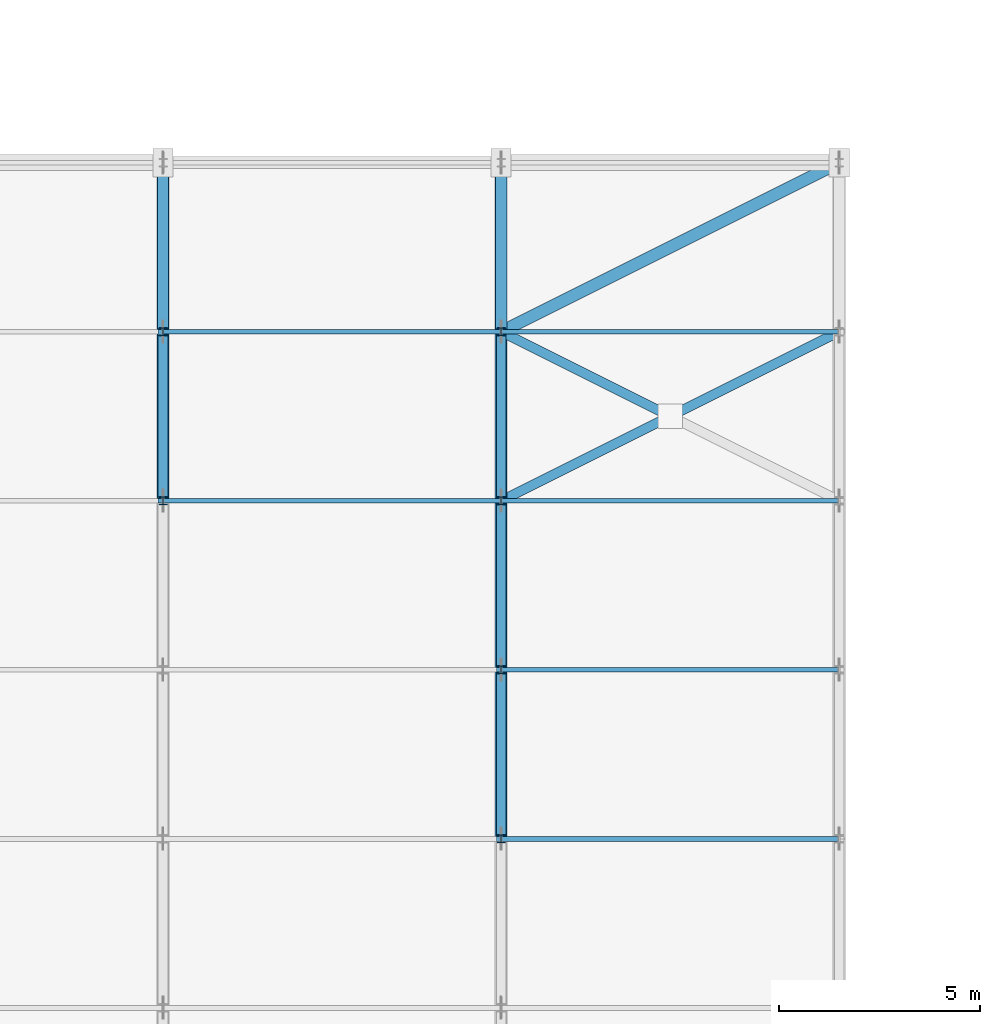
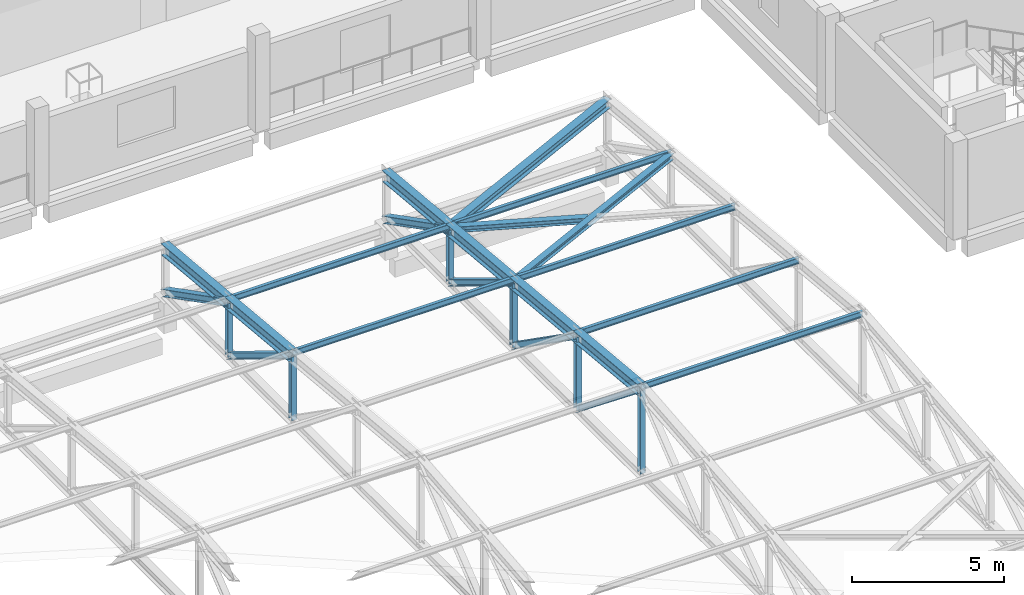
# One storey, part 24 of 74: 21 members, 6 beams.
"""IFC4 building model written with IfcOpenShell, lengths in metres."""

from ifc_helpers import new_model, si_unit, derived_unit, direction, frame, origin, origin_2d, place, context, subcontext, project, spatial, i_section, extrude, material, material_profile, profile_set, type_object, element, save


model = new_model("IFC4")

# Units and contexts
model_context = context("Model", 3, precision=1e-05, world=origin(), true_north=direction((0.0, 1.0)))
body_context = subcontext(model_context, "Body", "Model", "MODEL_VIEW")
ifc_project = project(units=[si_unit("LENGTHUNIT", "METRE"), si_unit("AREAUNIT", "SQUARE_METRE"), si_unit("VOLUMEUNIT", "CUBIC_METRE"), si_unit("PLANEANGLEUNIT", "RADIAN"), si_unit("MASSUNIT", "GRAM", prefix="KILO"), derived_unit("THERMALTRANSMITTANCEUNIT", [(si_unit("POWERUNIT", "WATT"), 1), (si_unit("LENGTHUNIT", "METRE"), -2), (si_unit("THERMODYNAMICTEMPERATUREUNIT", "KELVIN"), -1)])], contexts=[model_context])

# Site, building, storey
site_placement = place(None, origin())
site = spatial("IfcSite", under=ifc_project, at=site_placement, CompositionType="ELEMENT")
building_placement = place(site_placement, origin())
building = spatial("IfcBuilding", under=site, at=building_placement, Name="Elbkamm Science Centre", CompositionType="ELEMENT")
storey_placement = place(building_placement, frame((0.0, 0.0, 14.39990234375)))
storey = spatial("IfcBuildingStorey", under=building, at=storey_placement, Name="L03", CompositionType="ELEMENT", Elevation=14.39990234375)

# Beams
ifc_material = material(Name="Steel EN 10025-2 S355J2", Category="steel")
ifc_material_profile_1 = material_profile(ifc_material, i_section(OverallWidth=0.300048828125, OverallDepth=0.449951171875, WebThickness=0.013916015625, FlangeThickness=0.02587890625, FilletRadius=0.027099609375, at=origin_2d()), Name="HEB 450")
ifc_profile_set_1 = profile_set([ifc_material_profile_1], Name="Steel EN 10025-2 S355J2")
beam_type = type_object("IfcBeamType", Name="BM-STL-HEB450", PredefinedType="BEAM", material=ifc_profile_set_1)
beam_1_placement = place(storey_placement, frame((100.800048828125, 25.199951171875, 3.951171875), z_axis=(0.0, 0.995557421336, -0.094156363687), x_axis=(-1.0, 0.0, 0.0)))
element("IfcBeam", 1, at=beam_1_placement, inside=storey, type_object=beam_type, Name="Theatre Steel Truss 05 Top Chord 7", PredefinedType="BEAM", context=body_context, shape_type="SweptSolid", body=[
    extrude(i_section(OverallWidth=0.300048828125, OverallDepth=0.449951171875, WebThickness=0.013916015625, FlangeThickness=0.02587890625, FilletRadius=0.027099609375, at=origin_2d()), origin(), (0.0, 0.0, 1.0), 4.21875),
])
beam_2_placement = place(storey_placement, frame((100.800048828125, 29.39990234375, 3.553955078125), z_axis=(0.0, 0.995563356829, -0.094093583946), x_axis=(-1.0, 0.0, 0.0)))
element("IfcBeam", 2, at=beam_2_placement, inside=storey, type_object=beam_type, Name="Theatre Steel Truss 05 Top Chord 8", PredefinedType="BEAM", context=body_context, shape_type="SweptSolid", body=[
    extrude(i_section(OverallWidth=0.300048828125, OverallDepth=0.449951171875, WebThickness=0.013916015625, FlangeThickness=0.02587890625, FilletRadius=0.027099609375, at=origin_2d()), origin(), (0.0, 0.0, 1.0), 4.218994140625),
])
for number, where, z_axis, x_axis, name in (
    (3, (109.199951171875, 16.800048828125, 4.7451171875), (0.0, 0.995562844443, -0.094099005119), (-1.0, 0.0, 0.0), "Theatre Steel Truss 06 Top Chord 5"),
    (4, (109.199951171875, 21.0, 4.34814453125), (0.0, 0.995562844443, -0.094099005119), (-1.0, 0.0, 0.0), "Theatre Steel Truss 06 Top Chord 6"),
    (5, (109.199951171875, 25.199951171875, 3.951171875), (0.0, 0.995557421336, -0.094156363687), (-1.0, 0.0, 0.0), "Theatre Steel Truss 06 Top Chord 7"),
):
    element("IfcBeam", number, at=place(storey_placement, frame(where, z_axis=z_axis, x_axis=x_axis)), inside=storey, type_object=beam_type, Name=name, PredefinedType="BEAM", context=body_context, shape_type="SweptSolid", body=[
        extrude(i_section(OverallWidth=0.300048828125, OverallDepth=0.449951171875, WebThickness=0.013916015625, FlangeThickness=0.02587890625, FilletRadius=0.027099609375, at=origin_2d()), origin(), (0.0, 0.0, 1.0), 4.21875),
    ])
beam_3_placement = place(storey_placement, frame((109.199951171875, 29.39990234375, 3.553955078125), z_axis=(0.0, 0.995563356829, -0.094093583946), x_axis=(-1.0, 0.0, 0.0)))
element("IfcBeam", 6, at=beam_3_placement, inside=storey, type_object=beam_type, Name="Theatre Steel Truss 06 Top Chord 8", PredefinedType="BEAM", context=body_context, shape_type="SweptSolid", body=[
    extrude(i_section(OverallWidth=0.300048828125, OverallDepth=0.449951171875, WebThickness=0.013916015625, FlangeThickness=0.02587890625, FilletRadius=0.027099609375, at=origin_2d()), origin(), (0.0, 0.0, 1.0), 4.218994140625),
])

# Members
ifc_material_profile_2 = material_profile(ifc_material, i_section(OverallWidth=0.239990234375, OverallDepth=0.22998046875, WebThickness=0.007568359375, FlangeThickness=0.011962890625, FilletRadius=0.02099609375, at=origin_2d()), Name="HEA 240")
ifc_profile_set_2 = profile_set([ifc_material_profile_2], Name="Steel EN 10025-2 S355J2")
member_type_1 = type_object("IfcMemberType", Name="MEM-BRACE-HEA240", PredefinedType="BRACE", material=ifc_profile_set_2)
member_1_placement = place(storey_placement, frame((100.800048828125, 25.199951171875, 3.951171875), z_axis=(0.0, 0.854692256273, -0.519134998884), x_axis=(-1.0, 0.0, 0.0)))
element("IfcMember", 7, at=member_1_placement, inside=storey, type_object=member_type_1, Name="Theatre Steel Truss 05 Diagonal Brace 7", PredefinedType="BRACE", context=body_context, shape_type="SweptSolid", body=[
    extrude(i_section(OverallWidth=0.239990234375, OverallDepth=0.22998046875, WebThickness=0.007568359375, FlangeThickness=0.011962890625, FilletRadius=0.02099609375, at=origin_2d()), origin(), (0.0, 0.0, 1.0), 4.9140625),
])
member_2_placement = place(storey_placement, frame((109.199951171875, 16.800048828125, 4.7451171875), z_axis=(0.0, 0.782228850419, -0.62299119221), x_axis=(-1.0, 0.0, 0.0)))
element("IfcMember", 8, at=member_2_placement, inside=storey, type_object=member_type_1, Name="Theatre Steel Truss 06 Diagonal Brace 5", PredefinedType="BRACE", context=body_context, shape_type="SweptSolid", body=[
    extrude(i_section(OverallWidth=0.239990234375, OverallDepth=0.22998046875, WebThickness=0.007568359375, FlangeThickness=0.011962890625, FilletRadius=0.02099609375, at=origin_2d()), origin(), (0.0, 0.0, 1.0), 5.369140625),
])
member_3_placement = place(storey_placement, frame((109.199951171875, 21.0, 4.34814453125), z_axis=(0.0, 0.818495853112, -0.574512435408), x_axis=(-1.0, 0.0, 0.0)))
element("IfcMember", 9, at=member_3_placement, inside=storey, type_object=member_type_1, Name="Theatre Steel Truss 06 Diagonal Brace 6", PredefinedType="BRACE", context=body_context, shape_type="SweptSolid", body=[
    extrude(i_section(OverallWidth=0.239990234375, OverallDepth=0.22998046875, WebThickness=0.007568359375, FlangeThickness=0.011962890625, FilletRadius=0.02099609375, at=origin_2d()), origin(), (0.0, 0.0, 1.0), 5.13134765625),
])
member_4_placement = place(storey_placement, frame((109.199951171875, 25.199951171875, 3.951171875), z_axis=(0.0, 0.854692256273, -0.519134998884), x_axis=(-1.0, 0.0, 0.0)))
element("IfcMember", 10, at=member_4_placement, inside=storey, type_object=member_type_1, Name="Theatre Steel Truss 06 Diagonal Brace 7", PredefinedType="BRACE", context=body_context, shape_type="SweptSolid", body=[
    extrude(i_section(OverallWidth=0.239990234375, OverallDepth=0.22998046875, WebThickness=0.007568359375, FlangeThickness=0.011962890625, FilletRadius=0.02099609375, at=origin_2d()), origin(), (0.0, 0.0, 1.0), 4.9140625),
])
member_5_placement = place(storey_placement, frame((109.199951171875, 25.199951171875, 3.951171875), z_axis=(0.893633454316, 0.446803740942, -0.042257146225), x_axis=(-0.447203197209, 0.89443239007, 0.0)))
element("IfcMember", 11, at=member_5_placement, inside=storey, type_object=member_type_1, Name="Theatre Roof Plan Continuous X-Brace B6-P7", PredefinedType="BRACE", context=body_context, shape_type="SweptSolid", body=[
    extrude(i_section(OverallWidth=0.239990234375, OverallDepth=0.22998046875, WebThickness=0.007568359375, FlangeThickness=0.011962890625, FilletRadius=0.02099609375, at=origin_2d()), origin(), (0.0, 0.0, 1.0), 9.39990234375),
])
member_6_placement = place(storey_placement, frame((109.199951171875, 29.39990234375, 3.553955078125), z_axis=(0.893639494466, -0.446792977133, 0.042243218569), x_axis=(0.447192160157, 0.89443790835, 0.0)))
element("IfcMember", 12, at=member_6_placement, inside=storey, type_object=member_type_1, Name="Theatre Roof Plan Split X-Brace Segment 1 B6-P7", PredefinedType="BRACE", context=body_context, shape_type="SweptSolid", body=[
    extrude(i_section(OverallWidth=0.239990234375, OverallDepth=0.22998046875, WebThickness=0.007568359375, FlangeThickness=0.011962890625, FilletRadius=0.02099609375, at=origin_2d()), origin(), (0.0, 0.0, 1.0), 4.56005859375),
])
ifc_material_profile_3 = material_profile(ifc_material, i_section(OverallWidth=0.280029296875, OverallDepth=0.27001953125, WebThickness=0.008056640625, FlangeThickness=0.012939453125, FilletRadius=0.02392578125, at=origin_2d()), Name="HEA 280")
ifc_profile_set_3 = profile_set([ifc_material_profile_3], Name="Steel EN 10025-2 S355J2")
member_type_2 = type_object("IfcMemberType", Name="MEM-BRACE-HEA280", PredefinedType="BRACE", material=ifc_profile_set_3)
for number, where, z_axis, x_axis, name in (
    (13, (100.800048828125, 29.39990234375, 3.553955078125), (0.0, 0.889829309355, -0.456293546101), (-1.0, 0.0, 0.0), "Theatre Steel Truss 05 Diagonal Brace 8"),
    (14, (109.199951171875, 29.39990234375, 3.553955078125), (0.0, 0.889829309355, -0.456293546101), (-1.0, 0.0, 0.0), "Theatre Steel Truss 06 Diagonal Brace 8"),
):
    element("IfcMember", number, at=place(storey_placement, frame(where, z_axis=z_axis, x_axis=x_axis)), inside=storey, type_object=member_type_2, Name=name, PredefinedType="BRACE", context=body_context, shape_type="SweptSolid", body=[
        extrude(i_section(OverallWidth=0.280029296875, OverallDepth=0.27001953125, WebThickness=0.008056640625, FlangeThickness=0.012939453125, FilletRadius=0.02392578125, at=origin_2d()), origin(), (0.0, 0.0, 1.0), 4.72021484375),
    ])
ifc_material_profile_4 = material_profile(ifc_material, i_section(OverallWidth=0.300048828125, OverallDepth=0.35009765625, WebThickness=0.010009765625, FlangeThickness=0.017578125, FilletRadius=0.027099609375, at=origin_2d()), Name="HEA 360")
ifc_profile_set_4 = profile_set([ifc_material_profile_4], Name="Steel EN 10025-2 S355J2")
member_type_3 = type_object("IfcMemberType", Name="MEM-CHORD-HEA360", PredefinedType="CHORD", material=ifc_profile_set_4)
member_7_placement = place(storey_placement, frame((109.199951171875, 29.39990234375, 3.553955078125), z_axis=(0.893624064402, 0.44682501828, -0.042230730047), x_axis=(-0.44722399361, 0.89442199187, 0.0)))
element("IfcMember", 15, at=member_7_placement, inside=storey, type_object=member_type_3, Name="Theatre Roof Plan Tie Chord 6-8", PredefinedType="CHORD", context=body_context, shape_type="SweptSolid", body=[
    extrude(i_section(OverallWidth=0.300048828125, OverallDepth=0.35009765625, WebThickness=0.010009765625, FlangeThickness=0.017578125, FilletRadius=0.027099609375, at=origin_2d()), origin(), (0.0, 0.0, 1.0), 9.400146484375),
])
ifc_material_profile_5 = material_profile(ifc_material, i_section(OverallWidth=0.1201171875, OverallDepth=0.239990234375, WebThickness=0.006103515625, FlangeThickness=0.009765625, FilletRadius=0.014892578125, at=origin_2d()), Name="IPE 240")
ifc_profile_set_5 = profile_set([ifc_material_profile_5], Name="Steel EN 10025-2 S355J2")
member_type_4 = type_object("IfcMemberType", Name="MEM-PURLIN-IPE240", PredefinedType="PURLIN", material=ifc_profile_set_5)
for number, where, z_axis, x_axis, name in (
    (16, (100.800048828125, 25.199951171875, 4.051025390625), (1.0, 0.0, 0.0), (0.0, 1.0, 0.0), "Theatre Roof Purlin Bay 5-7"),
    (17, (100.800048828125, 29.39990234375, 3.654052734375), (1.0, 0.0, 0.0), (0.0, 1.0, 0.0), "Theatre Roof Purlin Bay 5-8"),
):
    element("IfcMember", number, at=place(storey_placement, frame(where, z_axis=z_axis, x_axis=x_axis)), inside=storey, type_object=member_type_4, Name=name, PredefinedType="PURLIN", context=body_context, shape_type="SweptSolid", body=[
        extrude(i_section(OverallWidth=0.1201171875, OverallDepth=0.239990234375, WebThickness=0.006103515625, FlangeThickness=0.009765625, FilletRadius=0.014892578125, at=origin_2d()), origin(), (0.0, 0.0, 1.0), 8.39990234375),
    ])
for number, where, z_axis, x_axis, name in (
    (18, (109.199951171875, 16.800048828125, 4.84521484375), (1.0, 0.0, 0.0), (0.0, 1.0, 0.0), "Theatre Roof Purlin Bay 6-5"),
    (19, (109.199951171875, 21.0, 4.447998046875), (1.0, 0.0, 0.0), (0.0, 1.0, 0.0), "Theatre Roof Purlin Bay 6-6"),
    (20, (109.199951171875, 25.199951171875, 4.051025390625), (1.0, 0.0, 0.0), (0.0, 1.0, 0.0), "Theatre Roof Purlin Bay 6-7"),
    (21, (109.199951171875, 29.39990234375, 3.654052734375), (1.0, 0.0, 0.0), (0.0, 1.0, 0.0), "Theatre Roof Purlin Bay 6-8"),
):
    element("IfcMember", number, at=place(storey_placement, frame(where, z_axis=z_axis, x_axis=x_axis)), inside=storey, type_object=member_type_4, Name=name, PredefinedType="PURLIN", context=body_context, shape_type="SweptSolid", body=[
        extrude(i_section(OverallWidth=0.1201171875, OverallDepth=0.239990234375, WebThickness=0.006103515625, FlangeThickness=0.009765625, FilletRadius=0.014892578125, at=origin_2d()), origin(), (0.0, 0.0, 1.0), 8.400146484375),
    ])
ifc_material_profile_6 = material_profile(ifc_material, i_section(OverallWidth=0.199951171875, OverallDepth=0.199951171875, WebThickness=0.009033203125, FlangeThickness=0.014892578125, FilletRadius=0.01806640625, at=origin_2d()), Name="HEB 200")
ifc_profile_set_6 = profile_set([ifc_material_profile_6], Name="Steel EN 10025-2 S355J2")
member_type_5 = type_object("IfcMemberType", Name="MEM-STRUT-HEB200", PredefinedType="STRUT", material=ifc_profile_set_6)
member_8_placement = place(storey_placement, frame((100.800048828125, 25.199951171875, 1.400146484375), z_axis=(0.0, 0.0, 1.0), x_axis=(1.0, 0.0, 0.0)))
element("IfcMember", 22, at=member_8_placement, inside=storey, type_object=member_type_5, Name="Theatre Steel Truss 05 Vertical Strut 7", PredefinedType="STRUT", context=body_context, shape_type="SweptSolid", body=[
    extrude(i_section(OverallWidth=0.199951171875, OverallDepth=0.199951171875, WebThickness=0.009033203125, FlangeThickness=0.014892578125, FilletRadius=0.01806640625, at=origin_2d()), origin(), (0.0, 0.0, 1.0), 2.551025390625),
])
member_9_placement = place(storey_placement, frame((100.800048828125, 29.39990234375, 1.400146484375), z_axis=(0.0, 0.0, 1.0), x_axis=(1.0, 0.0, 0.0)))
element("IfcMember", 23, at=member_9_placement, inside=storey, type_object=member_type_5, Name="Theatre Steel Truss 05 Vertical Strut 8", PredefinedType="STRUT", context=body_context, shape_type="SweptSolid", body=[
    extrude(i_section(OverallWidth=0.199951171875, OverallDepth=0.199951171875, WebThickness=0.009033203125, FlangeThickness=0.014892578125, FilletRadius=0.01806640625, at=origin_2d()), origin(), (0.0, 0.0, 1.0), 2.15380859375),
])
member_10_placement = place(storey_placement, frame((109.199951171875, 16.800048828125, 1.400146484375), z_axis=(0.0, 0.0, 1.0), x_axis=(1.0, 0.0, 0.0)))
element("IfcMember", 24, at=member_10_placement, inside=storey, type_object=member_type_5, Name="Theatre Steel Truss 06 Vertical Strut 5", PredefinedType="STRUT", context=body_context, shape_type="SweptSolid", body=[
    extrude(i_section(OverallWidth=0.199951171875, OverallDepth=0.199951171875, WebThickness=0.009033203125, FlangeThickness=0.014892578125, FilletRadius=0.01806640625, at=origin_2d()), origin(), (0.0, 0.0, 1.0), 3.344970703125),
])
member_11_placement = place(storey_placement, frame((109.199951171875, 21.0, 1.400146484375), z_axis=(0.0, 0.0, 1.0), x_axis=(1.0, 0.0, 0.0)))
element("IfcMember", 25, at=member_11_placement, inside=storey, type_object=member_type_5, Name="Theatre Steel Truss 06 Vertical Strut 6", PredefinedType="STRUT", context=body_context, shape_type="SweptSolid", body=[
    extrude(i_section(OverallWidth=0.199951171875, OverallDepth=0.199951171875, WebThickness=0.009033203125, FlangeThickness=0.014892578125, FilletRadius=0.01806640625, at=origin_2d()), origin(), (0.0, 0.0, 1.0), 2.947998046875),
])
member_12_placement = place(storey_placement, frame((109.199951171875, 25.199951171875, 1.400146484375), z_axis=(0.0, 0.0, 1.0), x_axis=(1.0, 0.0, 0.0)))
element("IfcMember", 26, at=member_12_placement, inside=storey, type_object=member_type_5, Name="Theatre Steel Truss 06 Vertical Strut 7", PredefinedType="STRUT", context=body_context, shape_type="SweptSolid", body=[
    extrude(i_section(OverallWidth=0.199951171875, OverallDepth=0.199951171875, WebThickness=0.009033203125, FlangeThickness=0.014892578125, FilletRadius=0.01806640625, at=origin_2d()), origin(), (0.0, 0.0, 1.0), 2.551025390625),
])
member_13_placement = place(storey_placement, frame((109.199951171875, 29.39990234375, 1.400146484375), z_axis=(0.0, 0.0, 1.0), x_axis=(1.0, 0.0, 0.0)))
element("IfcMember", 27, at=member_13_placement, inside=storey, type_object=member_type_5, Name="Theatre Steel Truss 06 Vertical Strut 8", PredefinedType="STRUT", context=body_context, shape_type="SweptSolid", body=[
    extrude(i_section(OverallWidth=0.199951171875, OverallDepth=0.199951171875, WebThickness=0.009033203125, FlangeThickness=0.014892578125, FilletRadius=0.01806640625, at=origin_2d()), origin(), (0.0, 0.0, 1.0), 2.15380859375),
])

save(model, "model.ifc")
